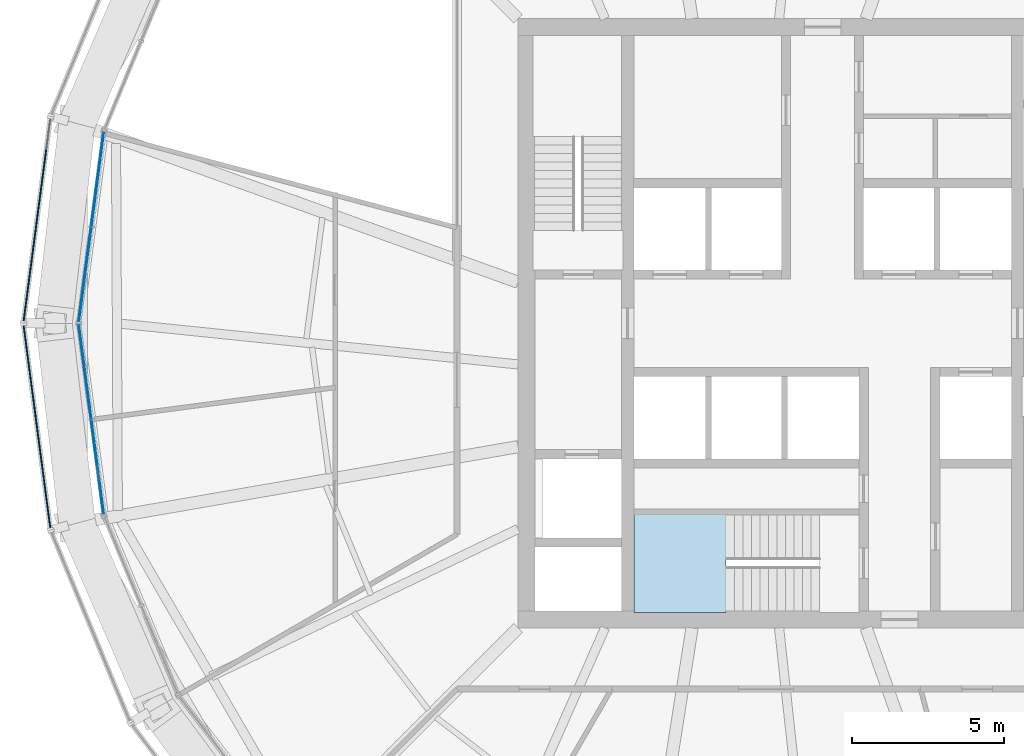
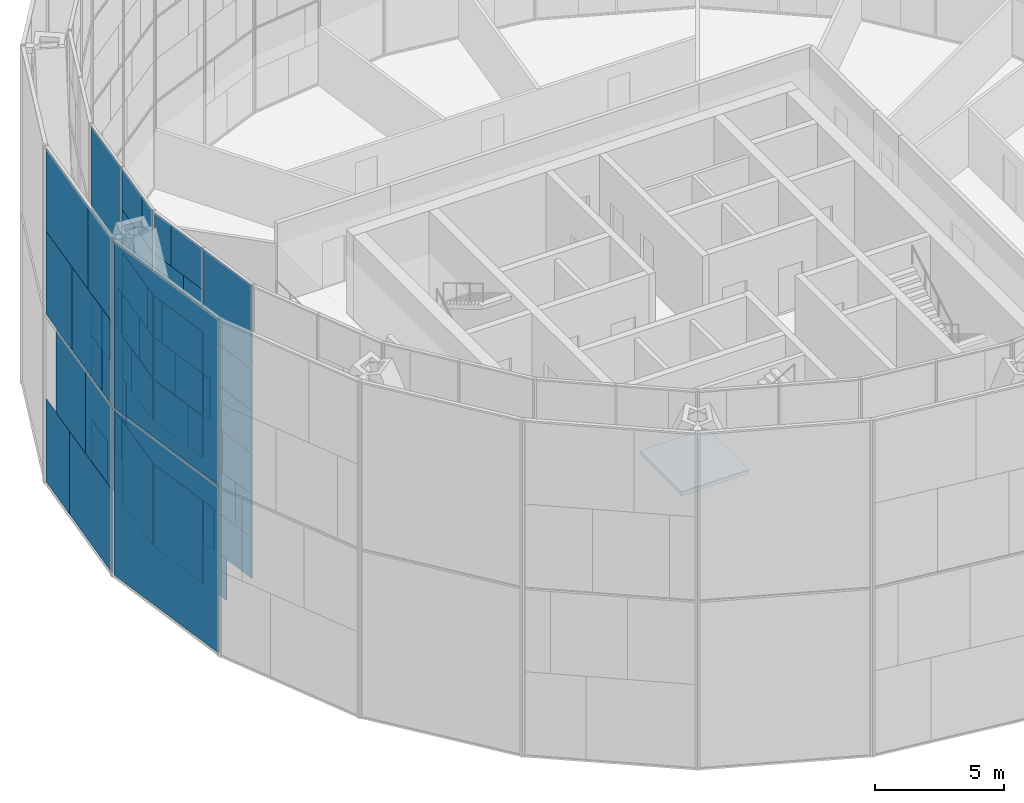
# One storey, part 15 of 28: 60 plates, 1 slab, 5 elements without a shape of their own.
"""IFC4 building model written with IfcOpenShell, lengths in metres."""

from ifc_helpers import new_model, si_unit, direction, frame, origin, origin_2d, place, context, subcontext, project, spatial, polyline, rectangle, outline, extrude, material, layer, layer_set, type_object, element, aggregate, save


model = new_model("IFC4")

# Units and contexts
model_context = context("Model", 3, precision=1e-05, world=origin(), true_north=direction((0.0, 1.0)))
body_context = subcontext(model_context, "Body", "Model", "MODEL_VIEW")
ifc_project = project(units=[si_unit("LENGTHUNIT", "METRE"), si_unit("AREAUNIT", "SQUARE_METRE"), si_unit("VOLUMEUNIT", "CUBIC_METRE"), si_unit("PLANEANGLEUNIT", "RADIAN"), si_unit("MASSUNIT", "GRAM", prefix="KILO")], contexts=[model_context])

# Site, building, storey
site_placement = place(None, origin())
site = spatial("IfcSite", under=ifc_project, at=site_placement, CompositionType="ELEMENT")
building_placement = place(site_placement, origin())
building = spatial("IfcBuilding", under=site, at=building_placement, Name="Golbaran Civic Tower", CompositionType="ELEMENT")
storey_placement = place(building_placement, frame((0.0, 0.0, 134.0)))
storey = spatial("IfcBuildingStorey", under=building, at=storey_placement, Name="L32", CompositionType="ELEMENT", Elevation=134.0)

# Curtain wall, plates
ifc_material_1 = material(Name="Aluminium and glass", Category="aluminium")
curtain_wall_type_1 = type_object("IfcCurtainWallType", Name="INNER SKIN CURTAIN WALL", PredefinedType="NOTDEFINED", material=ifc_material_1)
curtain_wall_1_placement = place(storey_placement, origin())
curtain_wall_1 = element("IfcCurtainWall", 1, at=curtain_wall_1_placement, inside=storey, type_object=curtain_wall_type_1, Name="Inner skin L32 facet 12 CW1", ObjectType="INNER SKIN", PredefinedType="USERDEFINED")
ifc_material_2 = material(Name="Clear insulating glass", Category="glass")
ifc_layer_1 = layer(ifc_material_2, 0.031982421875, Name="Clear insulating glass")
ifc_layer_set_1 = layer_set([ifc_layer_1], Name="Clear insulating glass")
plate_type_1 = type_object("IfcPlateType", Name="INNER SKIN CURTAIN WALL GLAZED PANEL", PredefinedType="CURTAIN_PANEL", material=ifc_layer_set_1)
plate_1_placement = place(storey_placement, frame((-23.909912109375, 3.91259765625, 0.06494140625), z_axis=(0.0, 0.0, 1.0), x_axis=(-0.130526192237, -0.991444861372, 0.0)))
plate_1 = element("IfcPlate", 2, at=plate_1_placement, type_object=plate_type_1, Name="CW1 panel 1.1 part 2", PredefinedType="CURTAIN_PANEL", context=body_context, shape_type="SweptSolid", body=[
    extrude(rectangle(XDim=1.45166015625, YDim=0.031982421875, at=origin_2d()), origin(), (0.0, 0.0, 1.0), 1.951171875),
])
plate_2_placement = place(storey_placement, frame((-23.96240234375, 3.513671875, 2.016357421875), z_axis=(0.0, 0.0, 1.0), x_axis=(-0.130526192237, -0.991444861372, 0.0)))
plate_2 = element("IfcPlate", 3, at=plate_2_placement, type_object=plate_type_1, Name="CW1 panel 1.1 part 4", PredefinedType="CURTAIN_PANEL", context=body_context, shape_type="SweptSolid", body=[
    extrude(rectangle(XDim=0.646484375, YDim=0.031982421875, at=origin_2d()), origin(), (0.0, 0.0, 1.0), 1.951171875),
])
plate_3_placement = place(storey_placement, frame((-23.671142578125, 5.725341796875, 4.03271484375), z_axis=(0.0, 0.0, 1.0), x_axis=(-0.130526192237, -0.991444861372, 0.0)))
plate_3 = element("IfcPlate", 4, at=plate_3_placement, type_object=plate_type_1, Name="CW1 panel 1.2 part 1", PredefinedType="CURTAIN_PANEL", context=body_context, shape_type="SweptSolid", body=[
    extrude(rectangle(XDim=1.072998046875, YDim=0.031982421875, at=origin_2d()), origin(), (0.0, 0.0, 1.0), 1.967529296875),
])
plate_4_placement = place(storey_placement, frame((-23.724365234375, 5.32275390625, 6.0), z_axis=(0.0, 0.0, 1.0), x_axis=(-0.130526192237, -0.991444861372, 0.0)))
plate_4 = element("IfcPlate", 5, at=plate_4_placement, type_object=plate_type_1, Name="CW1 panel 1.2 part 3", PredefinedType="CURTAIN_PANEL", context=body_context, shape_type="SweptSolid", body=[
    extrude(rectangle(XDim=1.885009765625, YDim=0.031982421875, at=origin_2d()), origin(), (0.0, 0.0, 1.0), 1.967529296875),
])
plate_5_placement = place(storey_placement, frame((-23.776611328125, 4.92431640625, 8.03271484375), z_axis=(0.0, 0.0, 1.0), x_axis=(-0.130526192237, -0.991444861372, 0.0)))
plate_5 = element("IfcPlate", 6, at=plate_5_placement, type_object=plate_type_1, Name="CW1 panel 1.3 part 1", PredefinedType="CURTAIN_PANEL", context=body_context, shape_type="SweptSolid", body=[
    extrude(rectangle(XDim=2.68896484375, YDim=0.031982421875, at=origin_2d()), origin(), (0.0, 0.0, 1.0), 1.967529296875),
])
plate_6_placement = place(storey_placement, frame((-23.802978515625, 4.72509765625, 10.0), z_axis=(0.0, 0.0, 1.0), x_axis=(-0.130526192237, -0.991444861372, 0.0)))
plate_6 = element("IfcPlate", 7, at=plate_6_placement, type_object=plate_type_1, Name="CW1 panel 1.3 part 3", PredefinedType="CURTAIN_PANEL", context=body_context, shape_type="SweptSolid", body=[
    extrude(rectangle(XDim=3.090576171875, YDim=0.031982421875, at=origin_2d()), origin(), (0.0, 0.0, 1.0), 1.967529296875),
])
plate_7_placement = place(storey_placement, frame((-23.802978515625, 4.72509765625, 12.0322265625), z_axis=(0.0, 0.0, 1.0), x_axis=(-0.130526192237, -0.991444861372, 0.0)))
plate_7 = element("IfcPlate", 8, at=plate_7_placement, type_object=plate_type_1, Name="CW1 panel 1.4", PredefinedType="CURTAIN_PANEL", context=body_context, shape_type="SweptSolid", body=[
    extrude(rectangle(XDim=3.090576171875, YDim=0.031982421875, at=origin_2d()), origin(), (0.0, 0.0, 1.0), 3.902587890625),
])
plate_8_placement = place(storey_placement, frame((-24.21484375, 1.596435546875, 0.06494140625), z_axis=(0.0, 0.0, 1.0), x_axis=(-0.130526192237, -0.991444861372, 0.0)))
plate_8 = element("IfcPlate", 9, at=plate_8_placement, type_object=plate_type_1, Name="CW1 panel 2.1", PredefinedType="CURTAIN_PANEL", context=body_context, shape_type="SweptSolid", body=[
    extrude(rectangle(XDim=3.090576171875, YDim=0.031982421875, at=origin_2d()), origin(), (0.0, 0.0, 1.0), 3.902587890625),
])
plate_9_placement = place(storey_placement, frame((-24.240966796875, 1.397705078125, 4.03271484375), z_axis=(0.0, 0.0, 1.0), x_axis=(-0.130526192237, -0.991444861372, 0.0)))
plate_9 = element("IfcPlate", 10, at=plate_9_placement, type_object=plate_type_1, Name="CW1 panel 2.2 part 2", PredefinedType="CURTAIN_PANEL", context=body_context, shape_type="SweptSolid", body=[
    extrude(rectangle(XDim=2.689697265625, YDim=0.031982421875, at=origin_2d()), origin(), (0.0, 0.0, 1.0), 1.967529296875),
])
plate_10_placement = place(storey_placement, frame((-24.276123046875, 1.131103515625, 6.0), z_axis=(0.0, 0.0, 1.0), x_axis=(-0.130526192237, -0.991444861372, 0.0)))
plate_10 = element("IfcPlate", 11, at=plate_10_placement, type_object=plate_type_1, Name="CW1 panel 2.2 part 4", PredefinedType="CURTAIN_PANEL", context=body_context, shape_type="SweptSolid", body=[
    extrude(rectangle(XDim=2.151611328125, YDim=0.031982421875, at=origin_2d()), origin(), (0.0, 0.0, 1.0), 1.967529296875),
])
plate_11_placement = place(storey_placement, frame((-24.330810546875, 0.715087890625, 8.03271484375), z_axis=(0.0, 0.0, 1.0), x_axis=(-0.130526192237, -0.991444861372, 0.0)))
plate_11 = element("IfcPlate", 12, at=plate_11_placement, type_object=plate_type_1, Name="CW1 panel 2.3 part 2", PredefinedType="CURTAIN_PANEL", context=body_context, shape_type="SweptSolid", body=[
    extrude(rectangle(XDim=1.3125, YDim=0.031982421875, at=origin_2d()), origin(), (0.0, 0.0, 1.0), 1.967529296875),
])
plate_12_placement = place(storey_placement, frame((-24.3837890625, 0.31298828125, 10.0), z_axis=(0.0, 0.0, 1.0), x_axis=(-0.130526192237, -0.991444861372, 0.0)))
plate_12 = element("IfcPlate", 13, at=plate_12_placement, type_object=plate_type_1, Name="CW1 panel 2.3 part 4", PredefinedType="CURTAIN_PANEL", context=body_context, shape_type="SweptSolid", body=[
    extrude(rectangle(XDim=0.501708984375, YDim=0.031982421875, at=origin_2d()), origin(), (0.0, 0.0, 1.0), 1.967529296875),
])
plate_13_placement = place(storey_placement, frame((-24.092529296875, 2.52490234375, 12.032470703125), z_axis=(0.0, 0.0, 1.0), x_axis=(-0.130526192237, -0.991444861372, 0.0)))
plate_13 = element("IfcPlate", 14, at=plate_13_placement, type_object=plate_type_1, Name="CW1 panel 2.4 part 1", PredefinedType="CURTAIN_PANEL", context=body_context, shape_type="SweptSolid", body=[
    extrude(rectangle(XDim=1.218017578125, YDim=0.031982421875, at=origin_2d()), origin(), (0.0, 0.0, 1.0), 1.951171875),
])
plate_14_placement = place(storey_placement, frame((-24.14501953125, 2.125732421875, 13.98388671875), z_axis=(0.0, 0.0, 1.0), x_axis=(-0.130526192237, -0.991444861372, 0.0)))
plate_14 = element("IfcPlate", 15, at=plate_14_placement, type_object=plate_type_1, Name="CW1 panel 2.4 part 3", PredefinedType="CURTAIN_PANEL", context=body_context, shape_type="SweptSolid", body=[
    extrude(rectangle(XDim=2.02294921875, YDim=0.031982421875, at=origin_2d()), origin(), (0.0, 0.0, 1.0), 1.951171875),
])

curtain_wall_2_placement = place(storey_placement, origin())
curtain_wall_2 = element("IfcCurtainWall", 16, at=curtain_wall_2_placement, inside=storey, type_object=curtain_wall_type_1, Name="Inner skin L32 facet 13 CW1", ObjectType="INNER SKIN", PredefinedType="USERDEFINED")
plate_15_placement = place(storey_placement, frame((-24.21484375, -1.596435546875, 0.06494140625), z_axis=(0.0, 0.0, 1.0), x_axis=(0.130526192237, -0.991444861372, 0.0)))
plate_15 = element("IfcPlate", 17, at=plate_15_placement, type_object=plate_type_1, Name="CW1 panel 1.1", PredefinedType="CURTAIN_PANEL", context=body_context, shape_type="SweptSolid", body=[
    extrude(rectangle(XDim=3.090576171875, YDim=0.031982421875, at=origin_2d()), origin(), (0.0, 0.0, 1.0), 3.902587890625),
])
plate_16_placement = place(storey_placement, frame((-24.240966796875, -1.3974609375, 4.03271484375), z_axis=(0.0, 0.0, 1.0), x_axis=(0.130526192237, -0.991444861372, 0.0)))
plate_16 = element("IfcPlate", 18, at=plate_16_placement, type_object=plate_type_1, Name="CW1 panel 1.2 part 1", PredefinedType="CURTAIN_PANEL", context=body_context, shape_type="SweptSolid", body=[
    extrude(rectangle(XDim=2.68896484375, YDim=0.031982421875, at=origin_2d()), origin(), (0.0, 0.0, 1.0), 1.967529296875),
])
plate_17_placement = place(storey_placement, frame((-24.276123046875, -1.130859375, 6.0), z_axis=(0.0, 0.0, 1.0), x_axis=(0.130526192237, -0.991444861372, 0.0)))
plate_17 = element("IfcPlate", 19, at=plate_17_placement, type_object=plate_type_1, Name="CW1 panel 1.2 part 3", PredefinedType="CURTAIN_PANEL", context=body_context, shape_type="SweptSolid", body=[
    extrude(rectangle(XDim=2.15087890625, YDim=0.031982421875, at=origin_2d()), origin(), (0.0, 0.0, 1.0), 1.967529296875),
])
plate_18_placement = place(storey_placement, frame((-24.330810546875, -0.71533203125, 8.03271484375), z_axis=(0.0, 0.0, 1.0), x_axis=(0.130526192237, -0.991444861372, 0.0)))
plate_18 = element("IfcPlate", 20, at=plate_18_placement, type_object=plate_type_1, Name="CW1 panel 1.3 part 1", PredefinedType="CURTAIN_PANEL", context=body_context, shape_type="SweptSolid", body=[
    extrude(rectangle(XDim=1.31298828125, YDim=0.031982421875, at=origin_2d()), origin(), (0.0, 0.0, 1.0), 1.967529296875),
])
plate_19_placement = place(storey_placement, frame((-24.3837890625, -0.312744140625, 10.0), z_axis=(0.0, 0.0, 1.0), x_axis=(0.130526192237, -0.991444861372, 0.0)))
plate_19 = element("IfcPlate", 21, at=plate_19_placement, type_object=plate_type_1, Name="CW1 panel 1.3 part 3", PredefinedType="CURTAIN_PANEL", context=body_context, shape_type="SweptSolid", body=[
    extrude(rectangle(XDim=0.5009765625, YDim=0.031982421875, at=origin_2d()), origin(), (0.0, 0.0, 1.0), 1.967529296875),
])
plate_20_placement = place(storey_placement, frame((-24.092529296875, -2.5244140625, 12.032470703125), z_axis=(0.0, 0.0, 1.0), x_axis=(0.130526192237, -0.991444861372, 0.0)))
plate_20 = element("IfcPlate", 22, at=plate_20_placement, type_object=plate_type_1, Name="CW1 panel 1.4 part 2", PredefinedType="CURTAIN_PANEL", context=body_context, shape_type="SweptSolid", body=[
    extrude(rectangle(XDim=1.218505859375, YDim=0.031982421875, at=origin_2d()), origin(), (0.0, 0.0, 1.0), 1.951171875),
])
plate_21_placement = place(storey_placement, frame((-24.145263671875, -2.12548828125, 13.98388671875), z_axis=(0.0, 0.0, 1.0), x_axis=(0.130526192237, -0.991444861372, 0.0)))
plate_21 = element("IfcPlate", 23, at=plate_21_placement, type_object=plate_type_1, Name="CW1 panel 1.4 part 4", PredefinedType="CURTAIN_PANEL", context=body_context, shape_type="SweptSolid", body=[
    extrude(rectangle(XDim=2.023681640625, YDim=0.031982421875, at=origin_2d()), origin(), (0.0, 0.0, 1.0), 1.951171875),
])
plate_22_placement = place(storey_placement, frame((-23.909912109375, -3.912353515625, 0.06494140625), z_axis=(0.0, 0.0, 1.0), x_axis=(0.130526192237, -0.991444861372, 0.0)))
plate_22 = element("IfcPlate", 24, at=plate_22_placement, type_object=plate_type_1, Name="CW1 panel 2.1 part 1", PredefinedType="CURTAIN_PANEL", context=body_context, shape_type="SweptSolid", body=[
    extrude(rectangle(XDim=1.450927734375, YDim=0.031982421875, at=origin_2d()), origin(), (0.0, 0.0, 1.0), 1.951171875),
])
plate_23_placement = place(storey_placement, frame((-23.96240234375, -3.51318359375, 2.016357421875), z_axis=(0.0, 0.0, 1.0), x_axis=(0.130526192237, -0.991444861372, 0.0)))
plate_23 = element("IfcPlate", 25, at=plate_23_placement, type_object=plate_type_1, Name="CW1 panel 2.1 part 3", PredefinedType="CURTAIN_PANEL", context=body_context, shape_type="SweptSolid", body=[
    extrude(rectangle(XDim=0.64599609375, YDim=0.031982421875, at=origin_2d()), origin(), (0.0, 0.0, 1.0), 1.951171875),
])
plate_24_placement = place(storey_placement, frame((-23.67138671875, -5.72509765625, 4.03271484375), z_axis=(0.0, 0.0, 1.0), x_axis=(0.130526192237, -0.991444861372, 0.0)))
plate_24 = element("IfcPlate", 26, at=plate_24_placement, type_object=plate_type_1, Name="CW1 panel 2.2 part 2", PredefinedType="CURTAIN_PANEL", context=body_context, shape_type="SweptSolid", body=[
    extrude(rectangle(XDim=1.073486328125, YDim=0.031982421875, at=origin_2d()), origin(), (0.0, 0.0, 1.0), 1.967529296875),
])
plate_25_placement = place(storey_placement, frame((-23.72412109375, -5.322998046875, 6.0), z_axis=(0.0, 0.0, 1.0), x_axis=(0.130526192237, -0.991444861372, 0.0)))
plate_25 = element("IfcPlate", 27, at=plate_25_placement, type_object=plate_type_1, Name="CW1 panel 2.2 part 4", PredefinedType="CURTAIN_PANEL", context=body_context, shape_type="SweptSolid", body=[
    extrude(rectangle(XDim=1.884521484375, YDim=0.031982421875, at=origin_2d()), origin(), (0.0, 0.0, 1.0), 1.967529296875),
])
plate_26_placement = place(storey_placement, frame((-23.77685546875, -4.923828125, 8.03271484375), z_axis=(0.0, 0.0, 1.0), x_axis=(0.130526192237, -0.991444861372, 0.0)))
plate_26 = element("IfcPlate", 28, at=plate_26_placement, type_object=plate_type_1, Name="CW1 panel 2.3 part 2", PredefinedType="CURTAIN_PANEL", context=body_context, shape_type="SweptSolid", body=[
    extrude(rectangle(XDim=2.689697265625, YDim=0.031982421875, at=origin_2d()), origin(), (0.0, 0.0, 1.0), 1.967529296875),
])
plate_27_placement = place(storey_placement, frame((-23.802978515625, -4.72509765625, 10.0), z_axis=(0.0, 0.0, 1.0), x_axis=(0.130526192237, -0.991444861372, 0.0)))
plate_27 = element("IfcPlate", 29, at=plate_27_placement, type_object=plate_type_1, Name="CW1 panel 2.3 part 3", PredefinedType="CURTAIN_PANEL", context=body_context, shape_type="SweptSolid", body=[
    extrude(rectangle(XDim=3.090576171875, YDim=0.031982421875, at=origin_2d()), origin(), (0.0, 0.0, 1.0), 1.967529296875),
])
plate_28_placement = place(storey_placement, frame((-23.802978515625, -4.72509765625, 12.0322265625), z_axis=(0.0, 0.0, 1.0), x_axis=(0.130526192237, -0.991444861372, 0.0)))
plate_28 = element("IfcPlate", 30, at=plate_28_placement, type_object=plate_type_1, Name="CW1 panel 2.4", PredefinedType="CURTAIN_PANEL", context=body_context, shape_type="SweptSolid", body=[
    extrude(rectangle(XDim=3.090576171875, YDim=0.031982421875, at=origin_2d()), origin(), (0.0, 0.0, 1.0), 3.902587890625),
])

# Plate
ifc_material_3 = material(Name="Aluminium faced opaque infill panel", Category="aluminium")
ifc_layer_2 = layer(ifc_material_3, 0.031982421875, Name="Aluminium faced opaque infill panel")
ifc_layer_set_2 = layer_set([ifc_layer_2], Name="Aluminium faced opaque infill panel")
plate_type_2 = type_object("IfcPlateType", Name="INNER SKIN CURTAIN WALL OPAQUE INFILL PANEL", PredefinedType="CURTAIN_PANEL", material=ifc_layer_set_2)
plate_29_placement = place(storey_placement, frame((-23.708251953125, 5.44482421875, 0.06494140625), z_axis=(0.0, 0.0, 1.0), x_axis=(-0.130526192237, -0.991444861372, 0.0)))
plate_29 = element("IfcPlate", 31, at=plate_29_placement, type_object=plate_type_2, Name="CW1 infill panel 1.1 part 1", PredefinedType="CURTAIN_PANEL", context=body_context, shape_type="SweptSolid", body=[
    extrude(rectangle(XDim=1.638916015625, YDim=0.031982421875, at=origin_2d()), origin(), (0.0, 0.0, 1.0), 1.951171875),
])

plate_30_placement = place(storey_placement, frame((-23.7607421875, 5.045654296875, 2.016357421875), z_axis=(0.0, 0.0, 1.0), x_axis=(-0.130526192237, -0.991444861372, 0.0)))
plate_30 = element("IfcPlate", 32, at=plate_30_placement, type_object=plate_type_2, Name="CW1 infill panel 1.1 part 3", PredefinedType="CURTAIN_PANEL", context=body_context, shape_type="SweptSolid", body=[
    extrude(rectangle(XDim=2.444091796875, YDim=0.031982421875, at=origin_2d()), origin(), (0.0, 0.0, 1.0), 1.951171875),
])

plate_31_placement = place(storey_placement, frame((-23.873046875, 4.193115234375, 4.03271484375), z_axis=(0.0, 0.0, 1.0), x_axis=(-0.130526192237, -0.991444861372, 0.0)))
plate_31 = element("IfcPlate", 33, at=plate_31_placement, type_object=plate_type_2, Name="CW1 infill panel 1.2 part 2", PredefinedType="CURTAIN_PANEL", context=body_context, shape_type="SweptSolid", body=[
    extrude(rectangle(XDim=2.017578125, YDim=0.031982421875, at=origin_2d()), origin(), (0.0, 0.0, 1.0), 1.967529296875),
])

plate_32_placement = place(storey_placement, frame((-23.926025390625, 3.790771484375, 6.0), z_axis=(0.0, 0.0, 1.0), x_axis=(-0.130526192237, -0.991444861372, 0.0)))
plate_32 = element("IfcPlate", 34, at=plate_32_placement, type_object=plate_type_2, Name="CW1 infill panel 1.2 part 4", PredefinedType="CURTAIN_PANEL", context=body_context, shape_type="SweptSolid", body=[
    extrude(rectangle(XDim=1.20556640625, YDim=0.031982421875, at=origin_2d()), origin(), (0.0, 0.0, 1.0), 1.967529296875),
])

plate_33_placement = place(storey_placement, frame((-23.978515625, 3.39208984375, 8.03271484375), z_axis=(0.0, 0.0, 1.0), x_axis=(-0.130526192237, -0.991444861372, 0.0)))
plate_33 = element("IfcPlate", 35, at=plate_33_placement, type_object=plate_type_2, Name="CW1 infill panel 1.3 part 2", PredefinedType="CURTAIN_PANEL", context=body_context, shape_type="SweptSolid", body=[
    extrude(rectangle(XDim=0.401611328125, YDim=0.031982421875, at=origin_2d()), origin(), (0.0, 0.0, 1.0), 1.967529296875),
])

plate_34_placement = place(storey_placement, frame((-24.039306640625, 2.929931640625, 4.03271484375), z_axis=(0.0, 0.0, 1.0), x_axis=(-0.130526192237, -0.991444861372, 0.0)))
plate_34 = element("IfcPlate", 36, at=plate_34_placement, type_object=plate_type_2, Name="CW1 infill panel 2.2 part 1", PredefinedType="CURTAIN_PANEL", context=body_context, shape_type="SweptSolid", body=[
    extrude(rectangle(XDim=0.40087890625, YDim=0.031982421875, at=origin_2d()), origin(), (0.0, 0.0, 1.0), 1.967529296875),
])

plate_35_placement = place(storey_placement, frame((-24.074462890625, 2.6630859375, 6.0), z_axis=(0.0, 0.0, 1.0), x_axis=(-0.130526192237, -0.991444861372, 0.0)))
plate_35 = element("IfcPlate", 37, at=plate_35_placement, type_object=plate_type_2, Name="CW1 infill panel 2.2 part 3", PredefinedType="CURTAIN_PANEL", context=body_context, shape_type="SweptSolid", body=[
    extrude(rectangle(XDim=0.93896484375, YDim=0.031982421875, at=origin_2d()), origin(), (0.0, 0.0, 1.0), 1.967529296875),
])

plate_36_placement = place(storey_placement, frame((-24.129150390625, 2.247314453125, 8.03271484375), z_axis=(0.0, 0.0, 1.0), x_axis=(-0.130526192237, -0.991444861372, 0.0)))
plate_36 = element("IfcPlate", 38, at=plate_36_placement, type_object=plate_type_2, Name="CW1 infill panel 2.3 part 1", PredefinedType="CURTAIN_PANEL", context=body_context, shape_type="SweptSolid", body=[
    extrude(rectangle(XDim=1.778076171875, YDim=0.031982421875, at=origin_2d()), origin(), (0.0, 0.0, 1.0), 1.967529296875),
])

plate_37_placement = place(storey_placement, frame((-24.18212890625, 1.84521484375, 10.0), z_axis=(0.0, 0.0, 1.0), x_axis=(-0.130526192237, -0.991444861372, 0.0)))
plate_37 = element("IfcPlate", 39, at=plate_37_placement, type_object=plate_type_2, Name="CW1 infill panel 2.3 part 3", PredefinedType="CURTAIN_PANEL", context=body_context, shape_type="SweptSolid", body=[
    extrude(rectangle(XDim=2.589111328125, YDim=0.031982421875, at=origin_2d()), origin(), (0.0, 0.0, 1.0), 1.967529296875),
])

plate_38_placement = place(storey_placement, frame((-24.294189453125, 0.99267578125, 12.032470703125), z_axis=(0.0, 0.0, 1.0), x_axis=(-0.130526192237, -0.991444861372, 0.0)))
plate_38 = element("IfcPlate", 40, at=plate_38_placement, type_object=plate_type_2, Name="CW1 infill panel 2.4 part 2", PredefinedType="CURTAIN_PANEL", context=body_context, shape_type="SweptSolid", body=[
    extrude(rectangle(XDim=1.87255859375, YDim=0.031982421875, at=origin_2d()), origin(), (0.0, 0.0, 1.0), 1.951171875),
])

plate_39_placement = place(storey_placement, frame((-24.346923828125, 0.59375, 13.98388671875), z_axis=(0.0, 0.0, 1.0), x_axis=(-0.130526192237, -0.991444861372, 0.0)))
plate_39 = element("IfcPlate", 41, at=plate_39_placement, type_object=plate_type_2, Name="CW1 infill panel 2.4 part 4", PredefinedType="CURTAIN_PANEL", context=body_context, shape_type="SweptSolid", body=[
    extrude(rectangle(XDim=1.067626953125, YDim=0.031982421875, at=origin_2d()), origin(), (0.0, 0.0, 1.0), 1.951171875),
])

aggregate(curtain_wall_1, [plate_29, plate_1, plate_30, plate_2, plate_3, plate_31, plate_4, plate_32, plate_5, plate_33, plate_6, plate_7, plate_8, plate_34, plate_9, plate_35, plate_10, plate_36, plate_11, plate_37, plate_12, plate_13, plate_38, plate_14, plate_39])

plate_40_placement = place(storey_placement, frame((-24.039306640625, -2.929443359375, 4.03271484375), z_axis=(0.0, 0.0, 1.0), x_axis=(0.130526192237, -0.991444861372, 0.0)))
plate_40 = element("IfcPlate", 42, at=plate_40_placement, type_object=plate_type_2, Name="CW1 infill panel 1.2 part 2", PredefinedType="CURTAIN_PANEL", context=body_context, shape_type="SweptSolid", body=[
    extrude(rectangle(XDim=0.401611328125, YDim=0.031982421875, at=origin_2d()), origin(), (0.0, 0.0, 1.0), 1.967529296875),
])

plate_41_placement = place(storey_placement, frame((-24.074462890625, -2.662841796875, 6.0), z_axis=(0.0, 0.0, 1.0), x_axis=(0.130526192237, -0.991444861372, 0.0)))
plate_41 = element("IfcPlate", 43, at=plate_41_placement, type_object=plate_type_2, Name="CW1 infill panel 1.2 part 4", PredefinedType="CURTAIN_PANEL", context=body_context, shape_type="SweptSolid", body=[
    extrude(rectangle(XDim=0.939697265625, YDim=0.031982421875, at=origin_2d()), origin(), (0.0, 0.0, 1.0), 1.967529296875),
])

plate_42_placement = place(storey_placement, frame((-24.129150390625, -2.247314453125, 8.03271484375), z_axis=(0.0, 0.0, 1.0), x_axis=(0.130526192237, -0.991444861372, 0.0)))
plate_42 = element("IfcPlate", 44, at=plate_42_placement, type_object=plate_type_2, Name="CW1 infill panel 1.3 part 2", PredefinedType="CURTAIN_PANEL", context=body_context, shape_type="SweptSolid", body=[
    extrude(rectangle(XDim=1.777587890625, YDim=0.031982421875, at=origin_2d()), origin(), (0.0, 0.0, 1.0), 1.967529296875),
])

plate_43_placement = place(storey_placement, frame((-24.18212890625, -1.844970703125, 10.0), z_axis=(0.0, 0.0, 1.0), x_axis=(0.130526192237, -0.991444861372, 0.0)))
plate_43 = element("IfcPlate", 45, at=plate_43_placement, type_object=plate_type_2, Name="CW1 infill panel 1.3 part 4", PredefinedType="CURTAIN_PANEL", context=body_context, shape_type="SweptSolid", body=[
    extrude(rectangle(XDim=2.589599609375, YDim=0.031982421875, at=origin_2d()), origin(), (0.0, 0.0, 1.0), 1.967529296875),
])

plate_44_placement = place(storey_placement, frame((-24.29443359375, -0.992431640625, 12.032470703125), z_axis=(0.0, 0.0, 1.0), x_axis=(0.130526192237, -0.991444861372, 0.0)))
plate_44 = element("IfcPlate", 46, at=plate_44_placement, type_object=plate_type_2, Name="CW1 infill panel 1.4 part 1", PredefinedType="CURTAIN_PANEL", context=body_context, shape_type="SweptSolid", body=[
    extrude(rectangle(XDim=1.8720703125, YDim=0.031982421875, at=origin_2d()), origin(), (0.0, 0.0, 1.0), 1.951171875),
])

plate_45_placement = place(storey_placement, frame((-24.346923828125, -0.59326171875, 13.98388671875), z_axis=(0.0, 0.0, 1.0), x_axis=(0.130526192237, -0.991444861372, 0.0)))
plate_45 = element("IfcPlate", 47, at=plate_45_placement, type_object=plate_type_2, Name="CW1 infill panel 1.4 part 3", PredefinedType="CURTAIN_PANEL", context=body_context, shape_type="SweptSolid", body=[
    extrude(rectangle(XDim=1.06689453125, YDim=0.031982421875, at=origin_2d()), origin(), (0.0, 0.0, 1.0), 1.951171875),
])

plate_46_placement = place(storey_placement, frame((-23.7607421875, -5.04541015625, 2.016357421875), z_axis=(0.0, 0.0, 1.0), x_axis=(0.130526192237, -0.991444861372, 0.0)))
plate_46 = element("IfcPlate", 48, at=plate_46_placement, type_object=plate_type_2, Name="CW1 infill panel 2.1 part 4", PredefinedType="CURTAIN_PANEL", context=body_context, shape_type="SweptSolid", body=[
    extrude(rectangle(XDim=2.444580078125, YDim=0.031982421875, at=origin_2d()), origin(), (0.0, 0.0, 1.0), 1.951171875),
])

plate_47_placement = place(storey_placement, frame((-23.873046875, -4.19287109375, 4.03271484375), z_axis=(0.0, 0.0, 1.0), x_axis=(0.130526192237, -0.991444861372, 0.0)))
plate_47 = element("IfcPlate", 49, at=plate_47_placement, type_object=plate_type_2, Name="CW1 infill panel 2.2 part 1", PredefinedType="CURTAIN_PANEL", context=body_context, shape_type="SweptSolid", body=[
    extrude(rectangle(XDim=2.01708984375, YDim=0.031982421875, at=origin_2d()), origin(), (0.0, 0.0, 1.0), 1.967529296875),
])

plate_48_placement = place(storey_placement, frame((-23.926025390625, -3.790771484375, 6.0), z_axis=(0.0, 0.0, 1.0), x_axis=(0.130526192237, -0.991444861372, 0.0)))
plate_48 = element("IfcPlate", 50, at=plate_48_placement, type_object=plate_type_2, Name="CW1 infill panel 2.2 part 3", PredefinedType="CURTAIN_PANEL", context=body_context, shape_type="SweptSolid", body=[
    extrude(rectangle(XDim=1.2060546875, YDim=0.031982421875, at=origin_2d()), origin(), (0.0, 0.0, 1.0), 1.967529296875),
])

plate_49_placement = place(storey_placement, frame((-23.978515625, -3.391845703125, 8.03271484375), z_axis=(0.0, 0.0, 1.0), x_axis=(0.130526192237, -0.991444861372, 0.0)))
plate_49 = element("IfcPlate", 51, at=plate_49_placement, type_object=plate_type_2, Name="CW1 infill panel 2.3 part 1", PredefinedType="CURTAIN_PANEL", context=body_context, shape_type="SweptSolid", body=[
    extrude(rectangle(XDim=0.40087890625, YDim=0.031982421875, at=origin_2d()), origin(), (0.0, 0.0, 1.0), 1.967529296875),
])

aggregate(curtain_wall_2, [plate_15, plate_16, plate_40, plate_17, plate_41, plate_18, plate_42, plate_19, plate_43, plate_44, plate_20, plate_45, plate_21, plate_22, plate_23, plate_46, plate_47, plate_24, plate_48, plate_25, plate_49, plate_26, plate_27, plate_28])

# Curtain wall, plates
curtain_wall_type_2 = type_object("IfcCurtainWallType", Name="OUTER SKIN TERRACOTTA SCREEN", PredefinedType="NOTDEFINED", material=ifc_material_1)
curtain_wall_3_placement = place(storey_placement, origin())
curtain_wall_3 = element("IfcCurtainWall", 52, at=curtain_wall_3_placement, inside=storey, type_object=curtain_wall_type_2, Name="Outer skin L32 facet 12 CW3", ObjectType="OUTER SKIN", PredefinedType="USERDEFINED")
ifc_material_4 = material(Name="Clear laminated glass", Category="glass")
ifc_layer_3 = layer(ifc_material_4, 0.0400390625, Name="Clear laminated glass")
ifc_layer_set_3 = layer_set([ifc_layer_3], Name="Clear laminated glass")
plate_type_3 = type_object("IfcPlateType", Name="OUTER SKIN CLEAR GLASS PANEL", PredefinedType="CURTAIN_PANEL", material=ifc_layer_set_3)
plate_50_placement = place(storey_placement, frame((-25.94921875, 2.20849609375, -0.6298828125), z_axis=(0.0, 0.0, 1.0), x_axis=(-0.130526192203, -0.991444861376, 0.0)))
plate_50 = element("IfcPlate", 53, at=plate_50_placement, type_object=plate_type_3, Name="CW3 panel 1.1 part 2", PredefinedType="CURTAIN_PANEL", context=body_context, shape_type="SweptSolid", body=[
    extrude(rectangle(XDim=4.294921875, YDim=0.0400390625, at=origin_2d()), origin(), (0.0, 0.0, 1.0), 3.93994140625),
])
plate_51_placement = place(storey_placement, frame((-26.055419921875, 1.40234375, 3.31005859375), z_axis=(0.0, 0.0, 1.0), x_axis=(-0.130526192203, -0.991444861376, 0.0)))
plate_51 = element("IfcPlate", 54, at=plate_51_placement, type_object=plate_type_3, Name="CW3 panel 1.1 part 5", PredefinedType="CURTAIN_PANEL", context=body_context, shape_type="SweptSolid", body=[
    extrude(rectangle(XDim=2.6689453125, YDim=0.0400390625, at=origin_2d()), origin(), (0.0, 0.0, 1.0), 3.93994140625),
])
plate_52_placement = place(storey_placement, frame((-25.52978515625, 5.3955078125, 7.330078125), z_axis=(0.0, 0.0, 1.0), x_axis=(-0.130526192203, -0.991444861376, 0.0)))
plate_52 = element("IfcPlate", 55, at=plate_52_placement, type_object=plate_type_3, Name="CW3 panel 1.2 part 1", PredefinedType="CURTAIN_PANEL", context=body_context, shape_type="SweptSolid", body=[
    extrude(rectangle(XDim=2.656005859375, YDim=0.0400390625, at=origin_2d()), origin(), (0.0, 0.0, 1.0), 3.93994140625),
])
plate_53_placement = place(storey_placement, frame((-26.16357421875, 0.58056640625, 7.330078125), z_axis=(0.0, 0.0, 1.0), x_axis=(-0.130526192203, -0.991444861376, 0.0)))
plate_53 = element("IfcPlate", 56, at=plate_53_placement, type_object=plate_type_3, Name="CW3 panel 1.2 part 3", PredefinedType="CURTAIN_PANEL", context=body_context, shape_type="SweptSolid", body=[
    extrude(rectangle(XDim=1.010986328125, YDim=0.0400390625, at=origin_2d()), origin(), (0.0, 0.0, 1.0), 3.93994140625),
])
plate_54_placement = place(storey_placement, frame((-25.6357421875, 4.58935546875, 11.27001953125), z_axis=(0.0, 0.0, 1.0), x_axis=(-0.130526192203, -0.991444861376, 0.0)))
plate_54 = element("IfcPlate", 57, at=plate_54_placement, type_object=plate_type_3, Name="CW3 panel 1.2 part 4", PredefinedType="CURTAIN_PANEL", context=body_context, shape_type="SweptSolid", body=[
    extrude(rectangle(XDim=4.281982421875, YDim=0.0400390625, at=origin_2d()), origin(), (0.0, 0.0, 1.0), 3.93994140625),
])
ifc_material_5 = material(Name="Terracotta baguette screen", Category="masonry")
ifc_layer_4 = layer(ifc_material_5, 0.0400390625, Name="Terracotta baguette screen")
ifc_layer_set_4 = layer_set([ifc_layer_4], Name="Terracotta baguette screen")
plate_type_4 = type_object("IfcPlateType", Name="OUTER SKIN TERRACOTTA INFILL PANEL", PredefinedType="CURTAIN_PANEL", material=ifc_layer_set_4)
plate_55_placement = place(storey_placement, frame((-25.5126953125, 5.52490234375, -0.6298828125), z_axis=(0.0, 0.0, 1.0), x_axis=(-0.130526192203, -0.991444861376, 0.0)))
plate_55 = element("IfcPlate", 58, at=plate_55_placement, type_object=plate_type_4, Name="CW3 infill panel 1.1 part 1", PredefinedType="CURTAIN_PANEL", context=body_context, shape_type="SweptSolid", body=[
    extrude(rectangle(XDim=2.39501953125, YDim=0.0400390625, at=origin_2d()), origin(), (0.0, 0.0, 1.0), 3.93994140625),
])
plate_56_placement = place(storey_placement, frame((-25.683837890625, 4.224609375, 3.31005859375), z_axis=(0.0, 0.0, 1.0), x_axis=(-0.130526192203, -0.991444861376, 0.0)))
plate_56 = element("IfcPlate", 59, at=plate_56_placement, type_object=plate_type_4, Name="CW3 infill panel 1.1 part 4", PredefinedType="CURTAIN_PANEL", context=body_context, shape_type="SweptSolid", body=[
    extrude(rectangle(XDim=3.02392578125, YDim=0.0400390625, at=origin_2d()), origin(), (0.0, 0.0, 1.0), 3.93994140625),
])
plate_57_placement = place(storey_placement, frame((-25.900390625, 2.580322265625, 7.330078125), z_axis=(0.0, 0.0, 1.0), x_axis=(-0.130526192203, -0.991444861376, 0.0)))
plate_57 = element("IfcPlate", 60, at=plate_57_placement, type_object=plate_type_4, Name="CW3 infill panel 1.2 part 2", PredefinedType="CURTAIN_PANEL", context=body_context, shape_type="SweptSolid", body=[
    extrude(rectangle(XDim=3.02294921875, YDim=0.0400390625, at=origin_2d()), origin(), (0.0, 0.0, 1.0), 3.93994140625),
])
plate_58_placement = place(storey_placement, frame((-26.072509765625, 1.27294921875, 11.27001953125), z_axis=(0.0, 0.0, 1.0), x_axis=(-0.130526192203, -0.991444861376, 0.0)))
plate_58 = element("IfcPlate", 61, at=plate_58_placement, type_object=plate_type_4, Name="CW3 infill panel 1.2 part 5", PredefinedType="CURTAIN_PANEL", context=body_context, shape_type="SweptSolid", body=[
    extrude(rectangle(XDim=2.407958984375, YDim=0.0400390625, at=origin_2d()), origin(), (0.0, 0.0, 1.0), 3.93994140625),
])
aggregate(curtain_wall_3, [plate_55, plate_50, plate_56, plate_51, plate_52, plate_57, plate_53, plate_54, plate_58])

curtain_wall_4_placement = place(storey_placement, origin())
curtain_wall_4 = element("IfcCurtainWall", 62, at=curtain_wall_4_placement, inside=storey, type_object=curtain_wall_type_2, Name="Outer skin L32 facet 13 CW3", ObjectType="OUTER SKIN", PredefinedType="USERDEFINED")
ifc_layer_5 = layer(ifc_material_5, 0.0400390625, Name="Terracotta baguette screen")
ifc_layer_set_5 = layer_set([ifc_layer_5], Name="Terracotta baguette screen")
plate_type_5 = type_object("IfcPlateType", Name="OUTER SKIN TERRACOTTA SCREEN PANEL", PredefinedType="CURTAIN_PANEL", material=ifc_layer_set_5)
plate_59_placement = place(storey_placement, frame((-25.79296875, -3.395751953125, -0.6298828125), z_axis=(0.0, 0.0, 1.0), x_axis=(0.130526192203, -0.991444861376, 0.0)))
plate_59 = element("IfcPlate", 63, at=plate_59_placement, type_object=plate_type_5, Name="CW3 terracotta screen panel 1.1", PredefinedType="CURTAIN_PANEL", context=body_context, shape_type="SweptSolid", body=[
    extrude(rectangle(XDim=6.68994140625, YDim=0.0400390625, at=origin_2d()), origin(), (0.0, 0.0, 1.0), 7.8798828125),
])
plate_60_placement = place(storey_placement, frame((-25.79296875, -3.395751953125, 7.330078125), z_axis=(0.0, 0.0, 1.0), x_axis=(0.130526192203, -0.991444861376, 0.0)))
plate_60 = element("IfcPlate", 64, at=plate_60_placement, type_object=plate_type_5, Name="CW3 terracotta screen panel 1.2", PredefinedType="CURTAIN_PANEL", context=body_context, shape_type="SweptSolid", body=[
    extrude(rectangle(XDim=6.68994140625, YDim=0.0400390625, at=origin_2d()), origin(), (0.0, 0.0, 1.0), 7.8798828125),
])
aggregate(curtain_wall_4, [plate_59, plate_60])

# Stair, slab
ifc_material_6 = material(Name="Concrete C35/45", Category="concrete")
stair_type = type_object("IfcStairType", Name="EXIT STAIR 3150 x 7400, 4000 RISE", PredefinedType="HALF_TURN_STAIR", material=ifc_material_6)
stair_placement = place(storey_placement, origin())
stair = element("IfcStair", 65, at=stair_placement, inside=storey, type_object=stair_type, Name="Stair S3 L32", PredefinedType="HALF_TURN_STAIR")
ifc_layer_6 = layer(ifc_material_6, 0.199951171875, Name="Concrete C35/45")
ifc_layer_set_6 = layer_set([ifc_layer_6], Name="Concrete C35/45")
slab_type = type_object("IfcSlabType", Name="STAIR LANDING 200", PredefinedType="LANDING", material=ifc_layer_set_6)
slab_placement = place(storey_placement, frame((0.0, 0.0, 1.800048828125)))
slab = element("IfcSlab", 66, at=slab_placement, type_object=slab_type, Name="ST31574-40 landing 1", PredefinedType="LANDING", context=body_context, shape_type="SweptSolid", body=[
    extrude(outline(polyline([(-3.175048828125, -9.5), (-6.199951171875, -9.5), (-6.199951171875, -6.25), (-3.175048828125, -6.25), (-3.175048828125, -9.5)])), origin(), (0.0, 0.0, 1.0), 0.199951171875),
])
aggregate(stair, [slab])

save(model, "model.ifc")
